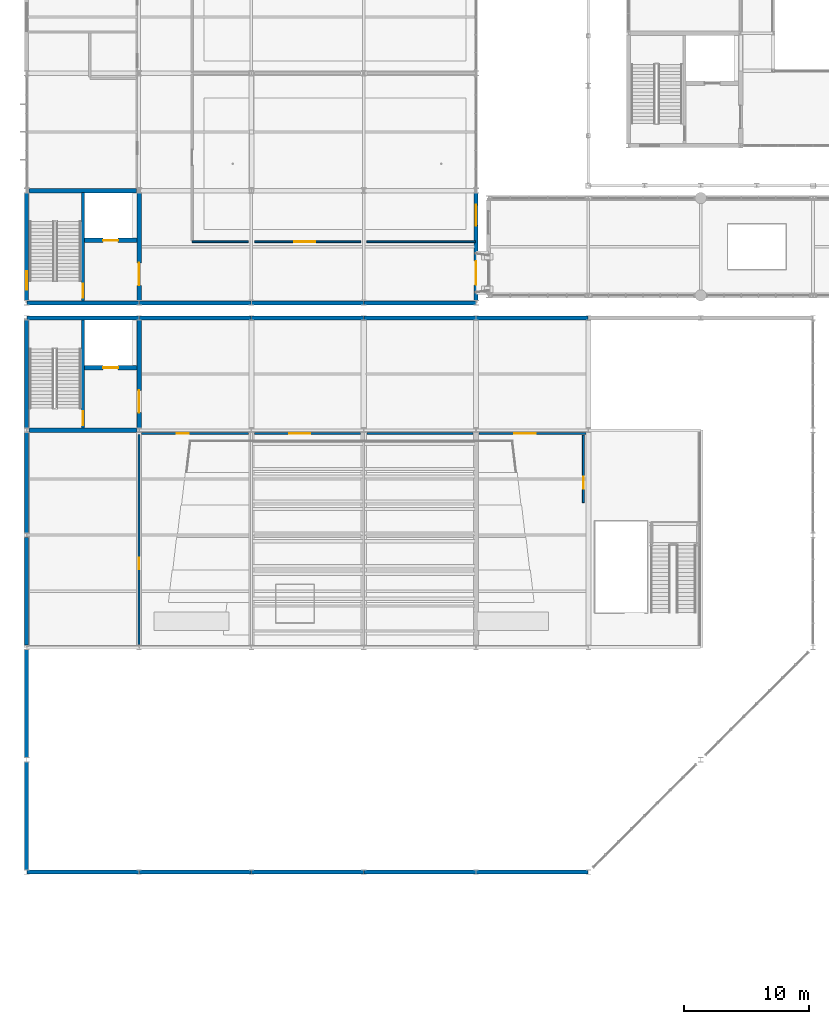
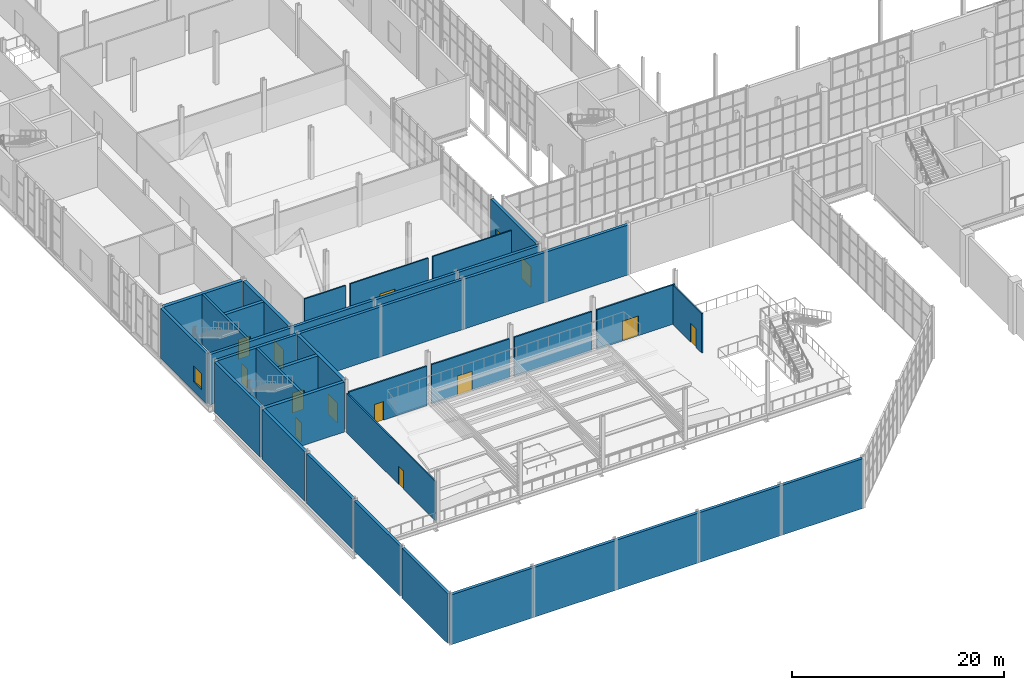
# One storey, part 120 of 159: 38 walls, 13 doors, 2 windows, 15 openings.
"""IFC4 building model written with IfcOpenShell, lengths in metres."""

from ifc_helpers import new_model, si_unit, direction, frame, frame_2d, origin, place, context, subcontext, project, spatial, rectangle, extrude, material, layer, layer_set, type_object, element, fill, save


model = new_model("IFC4")

# Units and contexts
model_context = context("Model", 3, precision=1e-05, world=origin(), true_north=direction((0.0, 1.0)))
body_context = subcontext(model_context, "Body", "Model", "MODEL_VIEW")
ifc_project = project(units=[si_unit("LENGTHUNIT", "METRE"), si_unit("AREAUNIT", "SQUARE_METRE"), si_unit("VOLUMEUNIT", "CUBIC_METRE"), si_unit("PLANEANGLEUNIT", "RADIAN"), si_unit("MASSUNIT", "GRAM", prefix="KILO")], contexts=[model_context])

# Site, building, storey
site_placement = place(None, origin())
site = spatial("IfcSite", under=ifc_project, at=site_placement, CompositionType="ELEMENT")
building_placement = place(site_placement, origin())
building = spatial("IfcBuilding", under=site, at=building_placement, Name="Cazmaro Siding Exhibition Halls", CompositionType="ELEMENT")
storey_placement = place(building_placement, frame((0.0, 0.0, 6.0)))
storey = spatial("IfcBuildingStorey", under=building, at=storey_placement, Name="L01", CompositionType="ELEMENT", Elevation=6.0)

# Walls
ifc_material_1 = material(Name="Concrete f'c 45 MPa", Category="concrete")
ifc_layer_1 = layer(ifc_material_1, 0.320068359375)
ifc_layer_set_1 = layer_set([ifc_layer_1], Name="Concrete f'c 45 MPa")
wall_type_1 = type_object("IfcWallType", Name="EW-01", PredefinedType="STANDARD", material=ifc_layer_set_1)
for number, where, z_axis, x_axis, name in (
    (1, (8.985107421875, 9.0, 0.0), (0.0, 0.0, 1.0), (-1.0, 0.0, 0.0), "Congress South Shell Wall EW-01 WL-E0188"),
    (2, (17.985107421875, 9.0, 0.0), (0.0, 0.0, 1.0), (-1.0, 0.0, 0.0), "Congress South Shell Wall EW-01 WL-E0191"),
    (3, (26.985107421875, 9.0, 0.0), (0.0, 0.0, 1.0), (-1.0, 0.0, 0.0), "Congress South Shell Wall EW-01 WL-E0194"),
    (4, (35.985107421875, 9.0, 0.0), (0.0, 0.0, 1.0), (-1.0, 0.0, 0.0), "Congress South Shell Wall EW-01 WL-E0197"),
    (5, (44.985107421875, 9.0, 0.0), (0.0, 0.0, 1.0), (-1.0, 0.0, 0.0), "Congress South Shell Wall EW-01 WL-E0200"),
):
    element("IfcWall", number, at=place(storey_placement, frame(where, z_axis=z_axis, x_axis=x_axis)), inside=storey, type_object=wall_type_1, Name=name, PredefinedType="STANDARD", context=body_context, shape_type="SweptSolid", body=[
        extrude(rectangle(XDim=8.97021484375, YDim=0.320068359375, at=frame_2d((4.485107421875, 0.0))), origin(), (0.0, 0.0, 1.0), 5.75),
    ])
for number, where, z_axis, x_axis, name in (
    (6, (0.0, 9.179931640625, 0.0), (0.0, 0.0, 1.0), (0.0, 1.0, 0.0), "Congress West Upper Wall EW-01 WL-E0206"),
    (7, (0.0, 18.179931640625, 0.0), (0.0, 0.0, 1.0), (0.0, 1.0, 0.0), "Congress West Upper Wall EW-01 WL-E0209"),
    (8, (0.0, 27.179931640625, 0.0), (0.0, 0.0, 1.0), (0.0, 1.0, 0.0), "Congress West Upper Wall EW-01 WL-E0212"),
):
    element("IfcWall", number, at=place(storey_placement, frame(where, z_axis=z_axis, x_axis=x_axis)), inside=storey, type_object=wall_type_1, Name=name, PredefinedType="STANDARD", context=body_context, shape_type="SweptSolid", body=[
        extrude(rectangle(XDim=8.64013671875, YDim=0.320068359375, at=frame_2d((4.320068359375, 0.0))), origin(), (0.0, 0.0, 1.0), 5.75),
    ])
wall_1_placement = place(storey_placement, frame((0.0, 36.179931640625, 0.0), z_axis=(0.0, 0.0, 1.0), x_axis=(0.0, 1.0, 0.0)))
element("IfcWall", 9, at=wall_1_placement, inside=storey, type_object=wall_type_1, Name="Congress West Upper Wall EW-01 WL-E0215", PredefinedType="STANDARD", context=body_context, shape_type="SweptSolid", body=[
    extrude(rectangle(XDim=8.0400390625, YDim=0.320068359375, at=frame_2d((4.02001953125, 0.0))), origin(), (0.0, 0.0, 1.0), 5.75),
])
wall_2_placement = place(storey_placement, frame((0.0, 44.580078125, 0.0), z_axis=(0.0, 0.0, 1.0), x_axis=(0.0, 1.0, 0.0)))
element("IfcWall", 10, at=wall_2_placement, inside=storey, type_object=wall_type_1, Name="Congress West Upper Wall EW-01 WL-E0218", PredefinedType="STANDARD", context=body_context, shape_type="SweptSolid", body=[
    extrude(rectangle(XDim=8.639892578125, YDim=0.320068359375, at=frame_2d((4.31982421875, 0.0))), origin(), (0.0, 0.0, 1.0), 5.75),
])
for number, where, z_axis, x_axis, name in (
    (11, (0.014892578125, 53.39990234375, 0.0), (0.0, 0.0, 1.0), (1.0, 0.0, 0.0), "Congress North Upper Seismic Wall EW-01 WL-E0221"),
    (12, (9.014892578125, 53.39990234375, 0.0), (0.0, 0.0, 1.0), (1.0, 0.0, 0.0), "Congress North Upper Seismic Wall EW-01 WL-E0224"),
    (13, (18.014892578125, 53.39990234375, 0.0), (0.0, 0.0, 1.0), (1.0, 0.0, 0.0), "Congress North Upper Seismic Wall EW-01 WL-E0227"),
    (14, (27.014892578125, 53.39990234375, 0.0), (0.0, 0.0, 1.0), (1.0, 0.0, 0.0), "Congress North Upper Seismic Wall EW-01 WL-E0230"),
    (15, (36.014892578125, 53.39990234375, 0.0), (0.0, 0.0, 1.0), (1.0, 0.0, 0.0), "Congress North Upper Seismic Wall EW-01 WL-E0233"),
):
    element("IfcWall", number, at=place(storey_placement, frame(where, z_axis=z_axis, x_axis=x_axis)), inside=storey, type_object=wall_type_1, Name=name, PredefinedType="STANDARD", context=body_context, shape_type="SweptSolid", body=[
        extrude(rectangle(XDim=8.97021484375, YDim=0.320068359375, at=frame_2d((4.485107421875, 0.0))), origin(), (0.0, 0.0, 1.0), 5.75),
    ])

# Wall, opening, window
wall_3_placement = place(storey_placement, frame((0.0, 54.802001953125, 0.0), z_axis=(0.0, 0.0, 1.0), x_axis=(0.0, 1.0, 0.0)))
wall_3 = element("IfcWall", 16, at=wall_3_placement, inside=storey, type_object=wall_type_1, Name="West Wing Core Street Wall L01 EW-01 WL-E0260", PredefinedType="STANDARD", context=body_context, shape_type="SweptSolid", body=[
    extrude(rectangle(XDim=8.595947265625, YDim=0.320068359375, at=frame_2d((4.2978515625, 0.0))), origin(), (0.0, 0.0, 1.0), 5.780029296875),
])
opening_1_placement = place(wall_3_placement, frame((0.85009765625, 0.0, 1.10009765625)))
opening_1 = element("IfcOpeningElement", 17, at=opening_1_placement, cuts=wall_3, Name="Opening W-072", PredefinedType="OPENING", context=body_context, shape_type="SweptSolid", body=[
    extrude(rectangle(XDim=1.5, YDim=1.800048828125, at=frame_2d((0.75, 0.89990234375))), frame((0.0, 0.169921875, 0.0), z_axis=(0.0, -1.0, 0.0), x_axis=(1.0, 0.0, 0.0)), (0.0, 0.0, 1.0), 0.340087890625),
])
ifc_material_2 = material(Name="Thermally Broken Aluminum Low-E Window Unit", Category="aluminium")
window_type_1 = type_object("IfcWindowType", Name="WT-01", PartitioningType="SINGLE_PANEL", PredefinedType="WINDOW", material=ifc_material_2)
window_1_placement = place(opening_1_placement, origin())
window_1 = element("IfcWindow", 18, at=window_1_placement, inside=storey, type_object=window_type_1, Name="Window W-072 (WT-01)", OverallHeight=1.800048828125, OverallWidth=1.5, PartitioningType="SINGLE_PANEL", PredefinedType="WINDOW", context=body_context, shape_type="SweptSolid", body=[
    extrude(rectangle(XDim=1.5, YDim=1.800048828125, at=frame_2d((0.75, 0.89990234375))), frame((0.0, 0.030029296875, 0.0), z_axis=(0.0, -1.0, 0.0), x_axis=(1.0, 0.0, 0.0)), (0.0, 0.0, 1.0), 0.06005859375),
])
fill(opening_1, window_1)

# Wall, openings, door, window
wall_4_placement = place(storey_placement, frame((36.0, 63.39794921875, 0.0), z_axis=(0.0, 0.0, 1.0), x_axis=(0.0, -1.0, 0.0)))
wall_4 = element("IfcWall", 19, at=wall_4_placement, inside=storey, type_object=wall_type_1, Name="Concourse Bridge Portal Wall L01 EW-01 WL-E0261", PredefinedType="STANDARD", context=body_context, shape_type="SweptSolid", body=[
    extrude(rectangle(XDim=8.595947265625, YDim=0.320068359375, at=frame_2d((4.2978515625, 0.0))), origin(), (0.0, 0.0, 1.0), 5.780029296875),
])
opening_2_placement = place(wall_4_placement, frame((5.447998046875, 0.0, 0.0)))
opening_2 = element("IfcOpeningElement", 20, at=opening_2_placement, cuts=wall_4, Name="Opening D-E070", PredefinedType="OPENING", context=body_context, shape_type="SweptSolid", body=[
    extrude(rectangle(XDim=1.89990234375, YDim=2.3798828125, at=frame_2d((0.949951171875, 1.18994140625))), frame((0.0, 0.169921875, 0.0), z_axis=(0.0, -1.0, 0.0), x_axis=(1.0, 0.0, 0.0)), (0.0, 0.0, 1.0), 0.340087890625),
])
opening_3_placement = place(wall_4_placement, frame((0.947998046875, 0.0, 1.10009765625)))
opening_3 = element("IfcOpeningElement", 21, at=opening_3_placement, cuts=wall_4, Name="Opening W-073", PredefinedType="OPENING", context=body_context, shape_type="SweptSolid", body=[
    extrude(rectangle(XDim=1.64990234375, YDim=1.800048828125, at=frame_2d((0.824951171875, 0.89990234375))), frame((0.0, 0.169921875, 0.0), z_axis=(0.0, -1.0, 0.0), x_axis=(1.0, 0.0, 0.0)), (0.0, 0.0, 1.0), 0.340087890625),
])
ifc_material_3 = material(Name="Anodized Bronze Glazed Entrance Door", Category="aluminium")
door_type_1 = type_object("IfcDoorType", Name="ED-08", OperationType="DOUBLE_DOOR_SLIDING", PredefinedType="DOOR", material=ifc_material_3)
door_1_placement = place(opening_2_placement, origin())
door_1 = element("IfcDoor", 22, at=door_1_placement, inside=storey, type_object=door_type_1, Name="Exterior door D-E070 (ED-08)", OperationType="DOUBLE_DOOR_SLIDING", OverallHeight=2.3798828125, OverallWidth=1.89990234375, PredefinedType="DOOR", context=body_context, shape_type="SweptSolid", body=[
    extrude(rectangle(XDim=1.89990234375, YDim=2.3798828125, at=frame_2d((0.949951171875, 1.18994140625))), frame((0.0, 0.02490234375, 0.0), z_axis=(0.0, -1.0, 0.0), x_axis=(1.0, 0.0, 0.0)), (0.0, 0.0, 1.0), 0.050048828125),
])
fill(opening_2, door_1)
ifc_material_4 = material(Name="Thermally Broken Aluminum Low-E Window Unit", Category="aluminium")
window_type_2 = type_object("IfcWindowType", Name="WT-02", PartitioningType="SINGLE_PANEL", PredefinedType="WINDOW", material=ifc_material_4)
window_2_placement = place(opening_3_placement, origin())
window_2 = element("IfcWindow", 23, at=window_2_placement, inside=storey, type_object=window_type_2, Name="Window W-073 (WT-02)", OverallHeight=1.800048828125, OverallWidth=1.64990234375, PartitioningType="SINGLE_PANEL", PredefinedType="WINDOW", context=body_context, shape_type="SweptSolid", body=[
    extrude(rectangle(XDim=1.64990234375, YDim=1.800048828125, at=frame_2d((0.824951171875, 0.89990234375))), frame((0.0, 0.030029296875, 0.0), z_axis=(0.0, -1.0, 0.0), x_axis=(1.0, 0.0, 0.0)), (0.0, 0.0, 1.0), 0.06005859375),
])
fill(opening_3, window_2)

# Walls
for number, where, z_axis, x_axis, name in (
    (24, (8.97802734375, 54.60009765625, 0.0), (0.0, 0.0, 1.0), (-1.0, 0.0, 0.0), "West Wing South Seismic Wall L01 EW-01 WL-E0271"),
    (25, (17.97802734375, 54.60009765625, 0.0), (0.0, 0.0, 1.0), (-1.0, 0.0, 0.0), "West Wing South Seismic Wall L01 EW-01 WL-E0272"),
    (26, (26.97802734375, 54.60009765625, 0.0), (0.0, 0.0, 1.0), (-1.0, 0.0, 0.0), "West Wing South Seismic Wall L01 EW-01 WL-E0273"),
    (27, (35.97802734375, 54.60009765625, 0.0), (0.0, 0.0, 1.0), (-1.0, 0.0, 0.0), "West Wing South Seismic Wall L01 EW-01 WL-E0274"),
):
    element("IfcWall", number, at=place(storey_placement, frame(where, z_axis=z_axis, x_axis=x_axis)), inside=storey, type_object=wall_type_1, Name=name, PredefinedType="STANDARD", context=body_context, shape_type="SweptSolid", body=[
        extrude(rectangle(XDim=8.9560546875, YDim=0.320068359375, at=frame_2d((4.47802734375, 0.0))), origin(), (0.0, 0.0, 1.0), 5.780029296875),
    ])
ifc_material_5 = material(Name="Fire-Rated Gypsum Board on Cold-Formed Steel Studs", Category="steel")
ifc_layer_2 = layer(ifc_material_5, 0.14501953125)
ifc_layer_set_2 = layer_set([ifc_layer_2], Name="Fire-Rated Gypsum Board on Cold-Formed Steel Studs")
wall_type_2 = type_object("IfcWallType", Name="PW-01", PredefinedType="PARTITIONING", material=ifc_layer_set_2)
wall_5_placement = place(storey_placement, frame((13.25, 59.5, 0.0), z_axis=(0.0, 0.0, 1.0), x_axis=(1.0, 0.0, 0.0)))
element("IfcWall", 28, at=wall_5_placement, inside=storey, type_object=wall_type_2, Name="West Wing South Cross-Corridor Wall L01 PW-01 WL-I0211", PredefinedType="PARTITIONING", context=body_context, shape_type="SweptSolid", body=[
    extrude(rectangle(XDim=4.5, YDim=0.14501953125, at=frame_2d((2.25, 0.0))), origin(), (0.0, 0.0, 1.0), 4.550048828125),
])

# Wall, opening, door
wall_6_placement = place(storey_placement, frame((18.25, 59.5, 0.0), z_axis=(0.0, 0.0, 1.0), x_axis=(1.0, 0.0, 0.0)))
wall_6 = element("IfcWall", 29, at=wall_6_placement, inside=storey, type_object=wall_type_2, Name="West Wing South Cross-Corridor Wall L01 PW-01 WL-I0212", PredefinedType="PARTITIONING", context=body_context, shape_type="SweptSolid", body=[
    extrude(rectangle(XDim=8.5, YDim=0.14501953125, at=frame_2d((4.25, 0.0))), origin(), (0.0, 0.0, 1.0), 4.550048828125),
])
opening_4_placement = place(wall_6_placement, frame((3.199951171875, 0.0, 0.0)))
opening_4 = element("IfcOpeningElement", 30, at=opening_4_placement, cuts=wall_6, Name="Opening D-I103", PredefinedType="OPENING", context=body_context, shape_type="SweptSolid", body=[
    extrude(rectangle(XDim=1.64990234375, YDim=2.25, at=frame_2d((0.824951171875, 1.125))), frame((0.0, 0.08251953125, 0.0), z_axis=(0.0, -1.0, 0.0), x_axis=(1.0, 0.0, 0.0)), (0.0, 0.0, 1.0), 0.1650390625),
])
ifc_material_6 = material(Name="Fire-Rated Painted Hollow Metal Door", Category="steel")
door_type_2 = type_object("IfcDoorType", Name="ID-05", OperationType="DOUBLE_DOOR_SINGLE_SWING", PredefinedType="DOOR", material=ifc_material_6)
door_2_placement = place(opening_4_placement, origin())
door_2 = element("IfcDoor", 31, at=door_2_placement, inside=storey, type_object=door_type_2, Name="Interior door D-I103 (ID-05)", OperationType="DOUBLE_DOOR_SINGLE_SWING", OverallHeight=2.25, OverallWidth=1.64990234375, PredefinedType="DOOR", context=body_context, shape_type="SweptSolid", body=[
    extrude(rectangle(XDim=1.64990234375, YDim=2.25, at=frame_2d((0.824951171875, 1.125))), frame((0.0, 0.02490234375, 0.0), z_axis=(0.0, -1.0, 0.0), x_axis=(1.0, 0.0, 0.0)), (0.0, 0.0, 1.0), 0.050048828125),
])
fill(opening_4, door_2)

# Wall
wall_7_placement = place(storey_placement, frame((27.25, 59.5, 0.0), z_axis=(0.0, 0.0, 1.0), x_axis=(1.0, 0.0, 0.0)))
element("IfcWall", 32, at=wall_7_placement, inside=storey, type_object=wall_type_2, Name="West Wing South Cross-Corridor Wall L01 PW-01 WL-I0213", PredefinedType="PARTITIONING", context=body_context, shape_type="SweptSolid", body=[
    extrude(rectangle(XDim=8.68994140625, YDim=0.14501953125, at=frame_2d((4.344970703125, 0.0))), origin(), (0.0, 0.0, 1.0), 4.550048828125),
])

# Wall, opening, door
wall_8_placement = place(storey_placement, frame((44.60009765625, 38.60009765625, 0.0), z_axis=(0.0, 0.0, 1.0), x_axis=(0.0, 1.0, 0.0)))
wall_8 = element("IfcWall", 33, at=wall_8_placement, inside=storey, type_object=wall_type_2, Name="Congress Stair Smoke Vestibule L01 PW-01 WL-I0344", PredefinedType="PARTITIONING", context=body_context, shape_type="SweptSolid", body=[
    extrude(rectangle(XDim=5.39990234375, YDim=0.14501953125, at=frame_2d((2.699951171875, 0.0))), origin(), (0.0, 0.0, 1.0), 4.550048828125),
])
opening_5_placement = place(wall_8_placement, frame((1.10009765625, 0.0, 0.0)))
opening_5 = element("IfcOpeningElement", 34, at=opening_5_placement, cuts=wall_8, Name="Opening D-I167", PredefinedType="OPENING", context=body_context, shape_type="SweptSolid", body=[
    extrude(rectangle(XDim=0.97998046875, YDim=2.14990234375, at=frame_2d((0.489990234375, 1.074951171875))), frame((0.0, 0.08251953125, 0.0), z_axis=(0.0, -1.0, 0.0), x_axis=(1.0, 0.0, 0.0)), (0.0, 0.0, 1.0), 0.1650390625),
])
ifc_material_7 = material(Name="Fire-Rated Painted Hollow Metal Door", Category="steel")
door_type_3 = type_object("IfcDoorType", Name="ID-03", OperationType="NOTDEFINED", PredefinedType="DOOR", material=ifc_material_7)
door_3_placement = place(opening_5_placement, origin())
door_3 = element("IfcDoor", 35, at=door_3_placement, inside=storey, type_object=door_type_3, Name="Interior door D-I167 (ID-03)", OperationType="SINGLE_SWING_RIGHT", OverallHeight=2.14990234375, OverallWidth=0.97998046875, PredefinedType="DOOR", context=body_context, shape_type="SweptSolid", body=[
    extrude(rectangle(XDim=0.97998046875, YDim=2.14990234375, at=frame_2d((0.489990234375, 1.074951171875))), frame((0.0, 0.02490234375, 0.0), z_axis=(0.0, -1.0, 0.0), x_axis=(1.0, 0.0, 0.0)), (0.0, 0.0, 1.0), 0.050048828125),
])
fill(opening_5, door_3)

wall_9_placement = place(storey_placement, frame((9.0, 27.25, 0.0), z_axis=(0.0, 0.0, 1.0), x_axis=(0.0, 1.0, 0.0)))
wall_9 = element("IfcWall", 36, at=wall_9_placement, inside=storey, type_object=wall_type_2, Name="Congress AV Booth Partition PW-01 WL-I0358", PredefinedType="PARTITIONING", context=body_context, shape_type="SweptSolid", body=[
    extrude(rectangle(XDim=16.800048828125, YDim=0.14501953125, at=frame_2d((8.39990234375, 0.0))), origin(), (0.0, 0.0, 1.0), 4.550048828125),
])
opening_6_placement = place(wall_9_placement, frame((6.0, 0.0, 0.0)))
opening_6 = element("IfcOpeningElement", 37, at=opening_6_placement, cuts=wall_9, Name="Opening D-I178", PredefinedType="OPENING", context=body_context, shape_type="SweptSolid", body=[
    extrude(rectangle(XDim=0.949951171875, YDim=2.1201171875, at=frame_2d((0.47509765625, 1.06005859375))), frame((0.0, 0.08251953125, 0.0), z_axis=(0.0, -1.0, 0.0), x_axis=(1.0, 0.0, 0.0)), (0.0, 0.0, 1.0), 0.1650390625),
])
ifc_material_8 = material(Name="Fire-Rated Painted Hollow Metal Door", Category="steel")
door_type_4 = type_object("IfcDoorType", Name="ID-04", OperationType="NOTDEFINED", PredefinedType="DOOR", material=ifc_material_8)
door_4_placement = place(opening_6_placement, origin())
door_4 = element("IfcDoor", 38, at=door_4_placement, inside=storey, type_object=door_type_4, Name="Interior door D-I178 (ID-04)", OperationType="SINGLE_SWING_RIGHT", OverallHeight=2.1201171875, OverallWidth=0.949951171875, PredefinedType="DOOR", context=body_context, shape_type="SweptSolid", body=[
    extrude(rectangle(XDim=0.949951171875, YDim=2.1201171875, at=frame_2d((0.47509765625, 1.06005859375))), frame((0.0, 0.02490234375, 0.0), z_axis=(0.0, -1.0, 0.0), x_axis=(1.0, 0.0, 0.0)), (0.0, 0.0, 1.0), 0.050048828125),
])
fill(opening_6, door_4)

ifc_material_9 = material(Name="Moisture-Resistant Gypsum Board on Acoustic Steel Studs", Category="steel")
ifc_layer_3 = layer(ifc_material_9, 0.1650390625)
ifc_layer_set_3 = layer_set([ifc_layer_3], Name="Moisture-Resistant Gypsum Board on Acoustic Steel Studs")
wall_type_3 = type_object("IfcWallType", Name="PW-02", PredefinedType="PARTITIONING", material=ifc_layer_set_3)
wall_10_placement = place(storey_placement, frame((9.199951171875, 44.14990234375, 0.0), z_axis=(0.0, 0.0, 1.0), x_axis=(1.0, 0.0, 0.0)))
wall_10 = element("IfcWall", 39, at=wall_10_placement, inside=storey, type_object=wall_type_3, Name="Congress Balcony Foyer Wall PW-02 WL-I0349", PredefinedType="PARTITIONING", context=body_context, shape_type="SweptSolid", body=[
    extrude(rectangle(XDim=8.550048828125, YDim=0.1650390625, at=frame_2d((4.27490234375, 0.0))), origin(), (0.0, 0.0, 1.0), 4.550048828125),
])
opening_7_placement = place(wall_10_placement, frame((2.800048828125, 0.0, 0.0)))
opening_7 = element("IfcOpeningElement", 40, at=opening_7_placement, cuts=wall_10, Name="Opening D-I170", PredefinedType="OPENING", context=body_context, shape_type="SweptSolid", body=[
    extrude(rectangle(XDim=0.97998046875, YDim=2.14990234375, at=frame_2d((0.489990234375, 1.074951171875))), frame((0.0, 0.092529296875, 0.0), z_axis=(0.0, -1.0, 0.0), x_axis=(1.0, 0.0, 0.0)), (0.0, 0.0, 1.0), 0.18505859375),
])
door_5_placement = place(opening_7_placement, origin())
door_5 = element("IfcDoor", 41, at=door_5_placement, inside=storey, type_object=door_type_3, Name="Interior door D-I170 (ID-03)", OperationType="SINGLE_SWING_RIGHT", OverallHeight=2.14990234375, OverallWidth=0.97998046875, PredefinedType="DOOR", context=body_context, shape_type="SweptSolid", body=[
    extrude(rectangle(XDim=0.97998046875, YDim=2.14990234375, at=frame_2d((0.489990234375, 1.074951171875))), frame((0.0, 0.02490234375, 0.0), z_axis=(0.0, -1.0, 0.0), x_axis=(1.0, 0.0, 0.0)), (0.0, 0.0, 1.0), 0.050048828125),
])
fill(opening_7, door_5)

wall_11_placement = place(storey_placement, frame((18.25, 44.14990234375, 0.0), z_axis=(0.0, 0.0, 1.0), x_axis=(1.0, 0.0, 0.0)))
wall_11 = element("IfcWall", 42, at=wall_11_placement, inside=storey, type_object=wall_type_3, Name="Congress Balcony Foyer Wall PW-02 WL-I0351", PredefinedType="PARTITIONING", context=body_context, shape_type="SweptSolid", body=[
    extrude(rectangle(XDim=8.5, YDim=0.1650390625, at=frame_2d((4.25, 0.0))), origin(), (0.0, 0.0, 1.0), 4.550048828125),
])
opening_8_placement = place(wall_11_placement, frame((2.800048828125, 0.0, 0.0)))
opening_8 = element("IfcOpeningElement", 43, at=opening_8_placement, cuts=wall_11, Name="Opening D-I172", PredefinedType="OPENING", context=body_context, shape_type="SweptSolid", body=[
    extrude(rectangle(XDim=1.64990234375, YDim=2.25, at=frame_2d((0.824951171875, 1.125))), frame((0.0, 0.092529296875, 0.0), z_axis=(0.0, -1.0, 0.0), x_axis=(1.0, 0.0, 0.0)), (0.0, 0.0, 1.0), 0.18505859375),
])
door_6_placement = place(opening_8_placement, origin())
door_6 = element("IfcDoor", 44, at=door_6_placement, inside=storey, type_object=door_type_2, Name="Interior door D-I172 (ID-05)", OperationType="DOUBLE_DOOR_SINGLE_SWING", OverallHeight=2.25, OverallWidth=1.64990234375, PredefinedType="DOOR", context=body_context, shape_type="SweptSolid", body=[
    extrude(rectangle(XDim=1.64990234375, YDim=2.25, at=frame_2d((0.824951171875, 1.125))), frame((0.0, 0.02490234375, 0.0), z_axis=(0.0, -1.0, 0.0), x_axis=(1.0, 0.0, 0.0)), (0.0, 0.0, 1.0), 0.050048828125),
])
fill(opening_8, door_6)

# Wall
wall_12_placement = place(storey_placement, frame((27.25, 44.14990234375, 0.0), z_axis=(0.0, 0.0, 1.0), x_axis=(1.0, 0.0, 0.0)))
element("IfcWall", 45, at=wall_12_placement, inside=storey, type_object=wall_type_3, Name="Congress Balcony Foyer Wall PW-02 WL-I0353", PredefinedType="PARTITIONING", context=body_context, shape_type="SweptSolid", body=[
    extrude(rectangle(XDim=8.5, YDim=0.1650390625, at=frame_2d((4.25, 0.0))), origin(), (0.0, 0.0, 1.0), 4.550048828125),
])

# Wall, opening, door
wall_13_placement = place(storey_placement, frame((36.25, 44.14990234375, 0.0), z_axis=(0.0, 0.0, 1.0), x_axis=(1.0, 0.0, 0.0)))
wall_13 = element("IfcWall", 46, at=wall_13_placement, inside=storey, type_object=wall_type_3, Name="Congress Balcony Foyer Wall PW-02 WL-I0355", PredefinedType="PARTITIONING", context=body_context, shape_type="SweptSolid", body=[
    extrude(rectangle(XDim=8.550048828125, YDim=0.1650390625, at=frame_2d((4.27490234375, 0.0))), origin(), (0.0, 0.0, 1.0), 4.550048828125),
])
opening_9_placement = place(wall_13_placement, frame((2.800048828125, 0.0, 0.0)))
opening_9 = element("IfcOpeningElement", 47, at=opening_9_placement, cuts=wall_13, Name="Opening D-I174", PredefinedType="OPENING", context=body_context, shape_type="SweptSolid", body=[
    extrude(rectangle(XDim=1.719970703125, YDim=2.280029296875, at=frame_2d((0.85986328125, 1.14013671875))), frame((0.0, 0.092529296875, 0.0), z_axis=(0.0, -1.0, 0.0), x_axis=(1.0, 0.0, 0.0)), (0.0, 0.0, 1.0), 0.18505859375),
])
ifc_material_10 = material(Name="Fire-Rated Painted Hollow Metal Door", Category="steel")
door_type_5 = type_object("IfcDoorType", Name="ID-10", OperationType="DOUBLE_DOOR_SINGLE_SWING", PredefinedType="DOOR", material=ifc_material_10)
door_7_placement = place(opening_9_placement, origin())
door_7 = element("IfcDoor", 48, at=door_7_placement, inside=storey, type_object=door_type_5, Name="Interior door D-I174 (ID-10)", OperationType="DOUBLE_DOOR_SINGLE_SWING", OverallHeight=2.280029296875, OverallWidth=1.719970703125, PredefinedType="DOOR", context=body_context, shape_type="SweptSolid", body=[
    extrude(rectangle(XDim=1.719970703125, YDim=2.280029296875, at=frame_2d((0.85986328125, 1.14013671875))), frame((0.0, 0.02490234375, 0.0), z_axis=(0.0, -1.0, 0.0), x_axis=(1.0, 0.0, 0.0)), (0.0, 0.0, 1.0), 0.050048828125),
])
fill(opening_9, door_7)

ifc_material_11 = material(Name="Concrete f'c 50 MPa", Category="concrete")
ifc_layer_4 = layer(ifc_material_11, 0.360107421875)
ifc_layer_set_4 = layer_set([ifc_layer_4], Name="Concrete f'c 50 MPa")
wall_type_4 = type_object("IfcWallType", Name="SW-01", PredefinedType="SHEAR", material=ifc_layer_set_4)
wall_14_placement = place(storey_placement, frame((9.0, 44.572998046875, 0.0), z_axis=(0.0, 0.0, 1.0), x_axis=(0.0, 1.0, 0.0)))
wall_14 = element("IfcWall", 49, at=wall_14_placement, inside=storey, type_object=wall_type_4, Name="Core C6 East Shear Wall SW-01 WL-I0068", PredefinedType="SHEAR", context=body_context, shape_type="SweptSolid", body=[
    extrude(rectangle(XDim=8.64599609375, YDim=0.360107421875, at=frame_2d((4.322998046875, 0.0))), origin(), (0.0, 0.0, 1.0), 5.75),
])
opening_10_placement = place(wall_14_placement, frame((1.22705078125, 0.0, 0.0)))
opening_10 = element("IfcOpeningElement", 50, at=opening_10_placement, cuts=wall_14, Name="Opening D-I034", PredefinedType="OPENING", context=body_context, shape_type="SweptSolid", body=[
    extrude(rectangle(XDim=1.800048828125, YDim=2.300048828125, at=frame_2d((0.89990234375, 1.14990234375))), frame((0.0, 0.18994140625, 0.0), z_axis=(0.0, -1.0, 0.0), x_axis=(1.0, 0.0, 0.0)), (0.0, 0.0, 1.0), 0.380126953125),
])
ifc_material_12 = material(Name="Fire-Rated Painted Hollow Metal Door", Category="steel")
door_type_6 = type_object("IfcDoorType", Name="ID-02", OperationType="DOUBLE_DOOR_SINGLE_SWING", PredefinedType="DOOR", material=ifc_material_12)
door_8_placement = place(opening_10_placement, origin())
door_8 = element("IfcDoor", 51, at=door_8_placement, inside=storey, type_object=door_type_6, Name="Interior door D-I034 (ID-02)", OperationType="DOUBLE_DOOR_SINGLE_SWING", OverallHeight=2.300048828125, OverallWidth=1.800048828125, PredefinedType="DOOR", context=body_context, shape_type="SweptSolid", body=[
    extrude(rectangle(XDim=1.800048828125, YDim=2.300048828125, at=frame_2d((0.89990234375, 1.14990234375))), frame((0.0, 0.02490234375, 0.0), z_axis=(0.0, -1.0, 0.0), x_axis=(1.0, 0.0, 0.0)), (0.0, 0.0, 1.0), 0.050048828125),
])
fill(opening_10, door_8)

# Wall
wall_15_placement = place(storey_placement, frame((0.180908203125, 44.39990234375, 0.0), z_axis=(0.0, 0.0, 1.0), x_axis=(1.0, 0.0, 0.0)))
element("IfcWall", 52, at=wall_15_placement, inside=storey, type_object=wall_type_4, Name="Core C6 South Shear Wall SW-01 WL-I0069", PredefinedType="SHEAR", context=body_context, shape_type="SweptSolid", body=[
    extrude(rectangle(XDim=8.64013671875, YDim=0.360107421875, at=frame_2d((4.320068359375, 0.0))), origin(), (0.0, 0.0, 1.0), 5.75),
])

# Wall, opening, door
wall_16_placement = place(storey_placement, frame((4.614990234375, 49.39990234375, 0.0), z_axis=(0.0, 0.0, 1.0), x_axis=(1.0, 0.0, 0.0)))
wall_16 = element("IfcWall", 53, at=wall_16_placement, inside=storey, type_object=wall_type_4, Name="Core C6 Lift Shaft Wall SW-01 WL-I0071", PredefinedType="SHEAR", context=body_context, shape_type="SweptSolid", body=[
    extrude(rectangle(XDim=4.219970703125, YDim=0.360107421875, at=frame_2d((2.10986328125, 0.0))), origin(), (0.0, 0.0, 1.0), 5.75),
])
opening_11_placement = place(wall_16_placement, frame((1.510009765625, 0.0, 0.0)))
opening_11 = element("IfcOpeningElement", 54, at=opening_11_placement, cuts=wall_16, Name="Opening LD-017", PredefinedType="OPENING", context=body_context, shape_type="SweptSolid", body=[
    extrude(rectangle(XDim=1.199951171875, YDim=2.300048828125, at=frame_2d((0.60009765625, 1.14990234375))), frame((0.0, 0.18994140625, 0.0), z_axis=(0.0, -1.0, 0.0), x_axis=(1.0, 0.0, 0.0)), (0.0, 0.0, 1.0), 0.380126953125),
])
ifc_material_13 = material(Name="Stainless Steel Elevator Landing Door", Category="steel")
door_type_7 = type_object("IfcDoorType", Name="LD-01", OperationType="SLIDING_TO_LEFT", PredefinedType="DOOR", material=ifc_material_13)
door_9_placement = place(opening_11_placement, origin())
door_9 = element("IfcDoor", 55, at=door_9_placement, inside=storey, type_object=door_type_7, Name="Interior door LD-017 (LD-01)", OperationType="SLIDING_TO_RIGHT", OverallHeight=2.300048828125, OverallWidth=1.199951171875, PredefinedType="DOOR", context=body_context, shape_type="SweptSolid", body=[
    extrude(rectangle(XDim=1.199951171875, YDim=2.300048828125, at=frame_2d((0.60009765625, 1.14990234375))), frame((0.0, 0.02490234375, 0.0), z_axis=(0.0, -1.0, 0.0), x_axis=(1.0, 0.0, 0.0)), (0.0, 0.0, 1.0), 0.050048828125),
])
fill(opening_11, door_9)

wall_17_placement = place(storey_placement, frame((9.0, 54.802978515625, 0.0), z_axis=(0.0, 0.0, 1.0), x_axis=(0.0, 1.0, 0.0)))
wall_17 = element("IfcWall", 56, at=wall_17_placement, inside=storey, type_object=wall_type_4, Name="Core C7 East Shear Wall SW-01 WL-I0080", PredefinedType="SHEAR", context=body_context, shape_type="SweptSolid", body=[
    extrude(rectangle(XDim=8.593994140625, YDim=0.360107421875, at=frame_2d((4.296875, 0.0))), origin(), (0.0, 0.0, 1.0), 5.780029296875),
])
opening_12_placement = place(wall_17_placement, frame((1.197021484375, 0.0, 0.0)))
opening_12 = element("IfcOpeningElement", 57, at=opening_12_placement, cuts=wall_17, Name="Opening D-I040", PredefinedType="OPENING", context=body_context, shape_type="SweptSolid", body=[
    extrude(rectangle(XDim=1.800048828125, YDim=2.300048828125, at=frame_2d((0.89990234375, 1.14990234375))), frame((0.0, 0.18994140625, 0.0), z_axis=(0.0, -1.0, 0.0), x_axis=(1.0, 0.0, 0.0)), (0.0, 0.0, 1.0), 0.380126953125),
])
door_10_placement = place(opening_12_placement, origin())
door_10 = element("IfcDoor", 58, at=door_10_placement, inside=storey, type_object=door_type_6, Name="Interior door D-I040 (ID-02)", OperationType="DOUBLE_DOOR_SINGLE_SWING", OverallHeight=2.300048828125, OverallWidth=1.800048828125, PredefinedType="DOOR", context=body_context, shape_type="SweptSolid", body=[
    extrude(rectangle(XDim=1.800048828125, YDim=2.300048828125, at=frame_2d((0.89990234375, 1.14990234375))), frame((0.0, 0.02490234375, 0.0), z_axis=(0.0, -1.0, 0.0), x_axis=(1.0, 0.0, 0.0)), (0.0, 0.0, 1.0), 0.050048828125),
])
fill(opening_12, door_10)

# Wall
wall_18_placement = place(storey_placement, frame((0.197998046875, 63.60009765625, 0.0), z_axis=(0.0, 0.0, 1.0), x_axis=(1.0, 0.0, 0.0)))
element("IfcWall", 59, at=wall_18_placement, inside=storey, type_object=wall_type_4, Name="Core C7 North Shear Wall SW-01 WL-I0081", PredefinedType="SHEAR", context=body_context, shape_type="SweptSolid", body=[
    extrude(rectangle(XDim=8.60400390625, YDim=0.360107421875, at=frame_2d((4.302001953125, 0.0))), origin(), (0.0, 0.0, 1.0), 5.780029296875),
])

# Wall, opening, door
wall_19_placement = place(storey_placement, frame((4.614990234375, 59.60009765625, 0.0), z_axis=(0.0, 0.0, 1.0), x_axis=(1.0, 0.0, 0.0)))
wall_19 = element("IfcWall", 60, at=wall_19_placement, inside=storey, type_object=wall_type_4, Name="Core C7 Lift Shaft Wall SW-01 WL-I0083", PredefinedType="SHEAR", context=body_context, shape_type="SweptSolid", body=[
    extrude(rectangle(XDim=4.219970703125, YDim=0.360107421875, at=frame_2d((2.10986328125, 0.0))), origin(), (0.0, 0.0, 1.0), 5.780029296875),
])
opening_13_placement = place(wall_19_placement, frame((1.510009765625, 0.0, 0.0)))
opening_13 = element("IfcOpeningElement", 61, at=opening_13_placement, cuts=wall_19, Name="Opening LD-020", PredefinedType="OPENING", context=body_context, shape_type="SweptSolid", body=[
    extrude(rectangle(XDim=1.199951171875, YDim=2.300048828125, at=frame_2d((0.60009765625, 1.14990234375))), frame((0.0, 0.18994140625, 0.0), z_axis=(0.0, -1.0, 0.0), x_axis=(1.0, 0.0, 0.0)), (0.0, 0.0, 1.0), 0.380126953125),
])
door_11_placement = place(opening_13_placement, origin())
door_11 = element("IfcDoor", 62, at=door_11_placement, inside=storey, type_object=door_type_7, Name="Interior door LD-020 (LD-01)", OperationType="SLIDING_TO_RIGHT", OverallHeight=2.300048828125, OverallWidth=1.199951171875, PredefinedType="DOOR", context=body_context, shape_type="SweptSolid", body=[
    extrude(rectangle(XDim=1.199951171875, YDim=2.300048828125, at=frame_2d((0.60009765625, 1.14990234375))), frame((0.0, 0.02490234375, 0.0), z_axis=(0.0, -1.0, 0.0), x_axis=(1.0, 0.0, 0.0)), (0.0, 0.0, 1.0), 0.050048828125),
])
fill(opening_13, door_11)

ifc_material_14 = material(Name="Concrete f'c 50 MPa", Category="concrete")
ifc_layer_5 = layer(ifc_material_14, 0.25)
ifc_layer_set_5 = layer_set([ifc_layer_5], Name="Concrete f'c 50 MPa")
wall_type_5 = type_object("IfcWallType", Name="SW-02", PredefinedType="SHEAR", material=ifc_layer_set_5)
wall_20_placement = place(storey_placement, frame((4.5, 44.56494140625, 0.0), z_axis=(0.0, 0.0, 1.0), x_axis=(0.0, 1.0, 0.0)))
wall_20 = element("IfcWall", 63, at=wall_20_placement, inside=storey, type_object=wall_type_5, Name="Core C6 Stair-Lobby Divider SW-02 WL-I0070", PredefinedType="SHEAR", context=body_context, shape_type="SweptSolid", body=[
    extrude(rectangle(XDim=8.670166015625, YDim=0.25, at=frame_2d((4.3349609375, 0.0))), origin(), (0.0, 0.0, 1.0), 5.75),
])
opening_14_placement = place(wall_20_placement, frame((0.25, 0.0, 0.0)))
opening_14 = element("IfcOpeningElement", 64, at=opening_14_placement, cuts=wall_20, Name="Opening D-I033", PredefinedType="OPENING", context=body_context, shape_type="SweptSolid", body=[
    extrude(rectangle(XDim=1.10009765625, YDim=2.199951171875, at=frame_2d((0.550048828125, 1.10009765625))), frame((0.0, 0.135009765625, 0.0), z_axis=(0.0, -1.0, 0.0), x_axis=(1.0, 0.0, 0.0)), (0.0, 0.0, 1.0), 0.27001953125),
])
ifc_material_15 = material(Name="Fire-Rated Painted Hollow Metal Door", Category="steel")
door_type_8 = type_object("IfcDoorType", Name="ID-01", OperationType="NOTDEFINED", PredefinedType="DOOR", material=ifc_material_15)
door_12_placement = place(opening_14_placement, origin())
door_12 = element("IfcDoor", 65, at=door_12_placement, inside=storey, type_object=door_type_8, Name="Interior door D-I033 (ID-01)", OperationType="SINGLE_SWING_RIGHT", OverallHeight=2.199951171875, OverallWidth=1.10009765625, PredefinedType="DOOR", context=body_context, shape_type="SweptSolid", body=[
    extrude(rectangle(XDim=1.10009765625, YDim=2.199951171875, at=frame_2d((0.550048828125, 1.10009765625))), frame((0.0, 0.02490234375, 0.0), z_axis=(0.0, -1.0, 0.0), x_axis=(1.0, 0.0, 0.0)), (0.0, 0.0, 1.0), 0.050048828125),
])
fill(opening_14, door_12)

wall_21_placement = place(storey_placement, frame((4.5, 54.764892578125, 0.0), z_axis=(0.0, 0.0, 1.0), x_axis=(0.0, 1.0, 0.0)))
wall_21 = element("IfcWall", 66, at=wall_21_placement, inside=storey, type_object=wall_type_5, Name="Core C7 Stair-Lobby Divider SW-02 WL-I0082", PredefinedType="SHEAR", context=body_context, shape_type="SweptSolid", body=[
    extrude(rectangle(XDim=8.670166015625, YDim=0.25, at=frame_2d((4.3349609375, 0.0))), origin(), (0.0, 0.0, 1.0), 5.780029296875),
])
opening_15_placement = place(wall_21_placement, frame((0.25, 0.0, 0.0)))
opening_15 = element("IfcOpeningElement", 67, at=opening_15_placement, cuts=wall_21, Name="Opening D-I039", PredefinedType="OPENING", context=body_context, shape_type="SweptSolid", body=[
    extrude(rectangle(XDim=1.10009765625, YDim=2.199951171875, at=frame_2d((0.550048828125, 1.10009765625))), frame((0.0, 0.135009765625, 0.0), z_axis=(0.0, -1.0, 0.0), x_axis=(1.0, 0.0, 0.0)), (0.0, 0.0, 1.0), 0.27001953125),
])
door_13_placement = place(opening_15_placement, origin())
door_13 = element("IfcDoor", 68, at=door_13_placement, inside=storey, type_object=door_type_8, Name="Interior door D-I039 (ID-01)", OperationType="SINGLE_SWING_RIGHT", OverallHeight=2.199951171875, OverallWidth=1.10009765625, PredefinedType="DOOR", context=body_context, shape_type="SweptSolid", body=[
    extrude(rectangle(XDim=1.10009765625, YDim=2.199951171875, at=frame_2d((0.550048828125, 1.10009765625))), frame((0.0, 0.02490234375, 0.0), z_axis=(0.0, -1.0, 0.0), x_axis=(1.0, 0.0, 0.0)), (0.0, 0.0, 1.0), 0.050048828125),
])
fill(opening_15, door_13)

save(model, "model.ifc")
